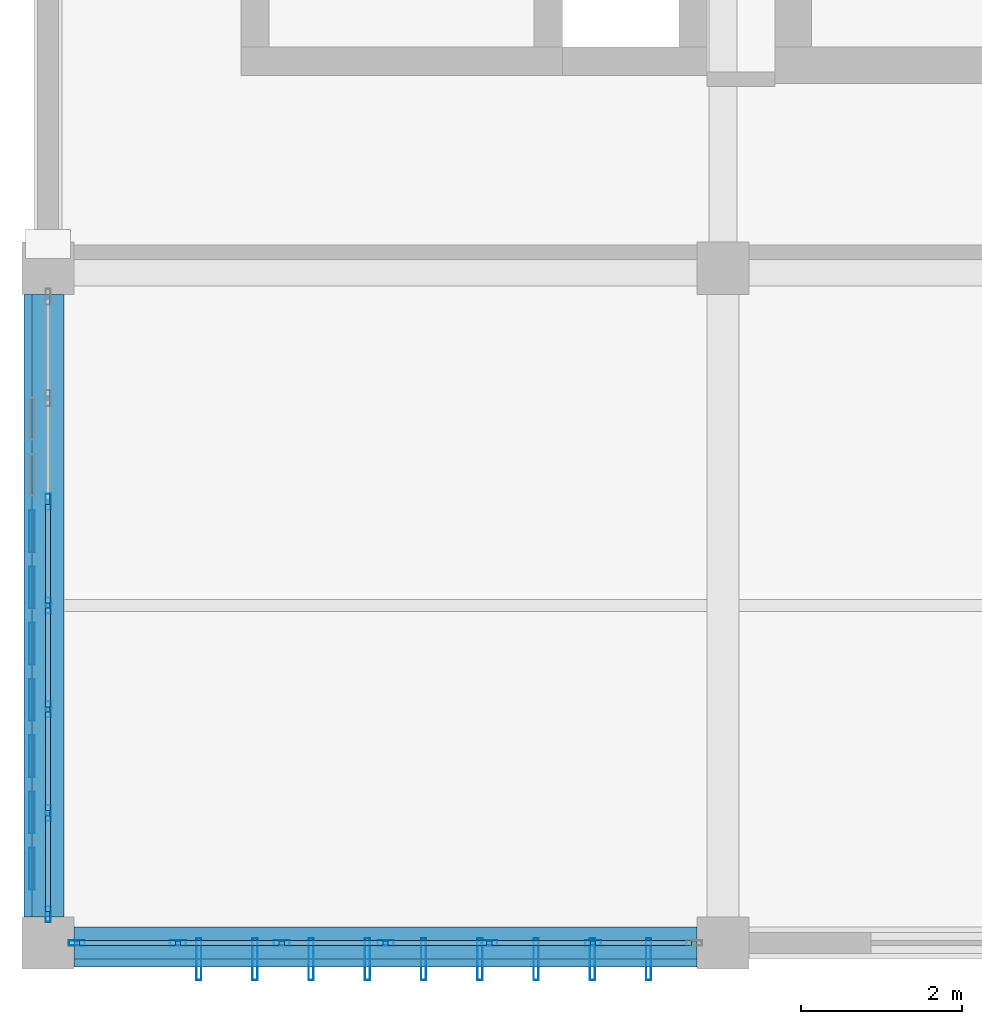
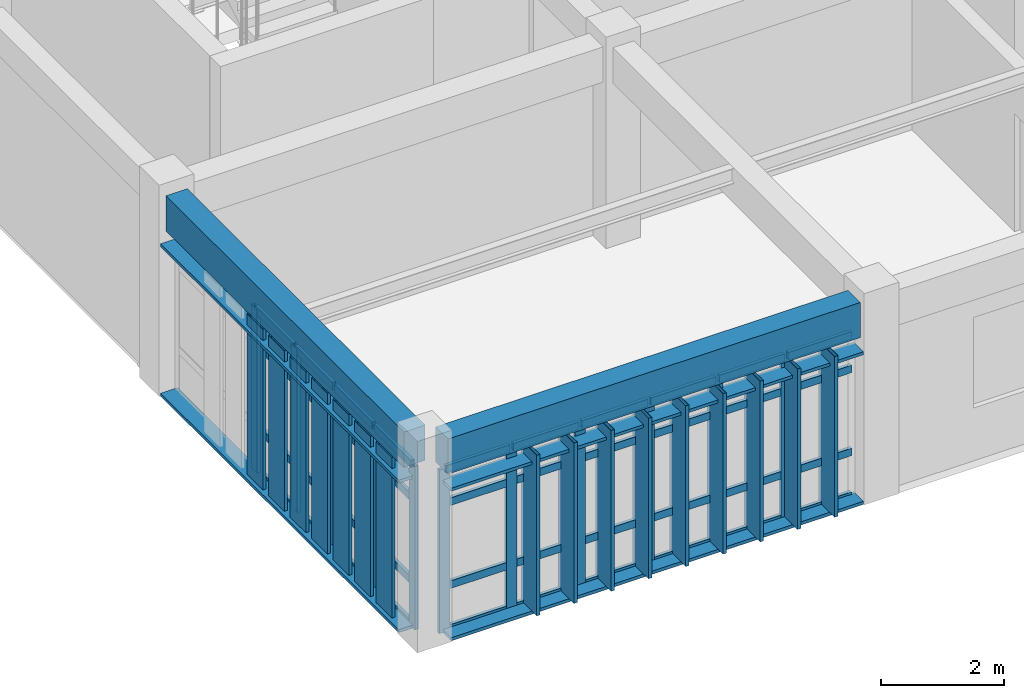
# One storey, part 4 of 23: 71 members, 2 beams, 2 elements without a shape of their own.
"""IFC4 building model written with IfcOpenShell, lengths in metres."""

from ifc_helpers import new_model, si_unit, direction, frame, origin, origin_2d, place, context, subcontext, project, spatial, rectangle, hollow_rectangle, extrude, material, layer, layer_set, material_profile, profile_set, type_object, element, aggregate, save


model = new_model("IFC4")

# Units and contexts
model_context = context("Model", 3, precision=1e-05, world=origin(), true_north=direction((0.0, 1.0)))
body_context = subcontext(model_context, "Body", "Model", "MODEL_VIEW")
ifc_project = project(units=[si_unit("LENGTHUNIT", "METRE"), si_unit("AREAUNIT", "SQUARE_METRE"), si_unit("VOLUMEUNIT", "CUBIC_METRE"), si_unit("PLANEANGLEUNIT", "RADIAN"), si_unit("MASSUNIT", "GRAM", prefix="KILO")], contexts=[model_context])

# Site, building, storey
site_placement = place(None, origin())
site = spatial("IfcSite", under=ifc_project, at=site_placement, CompositionType="ELEMENT")
building_placement = place(site_placement, origin())
building = spatial("IfcBuilding", under=site, at=building_placement, Name="Krzemoval Escarpment Law Courts", CompositionType="ELEMENT")
storey_placement = place(building_placement, frame((0.0, 0.0, 33.60009765625)))
storey = spatial("IfcBuildingStorey", under=building, at=storey_placement, Name="L07", CompositionType="ELEMENT", Elevation=33.60009765625)

# Beams
ifc_material_1 = material(Name="Concrete C40/50", Category="concrete")
ifc_material_profile_1 = material_profile(ifc_material_1, rectangle(XDim=0.39990234375, YDim=0.699951171875, at=origin_2d()), Name="RCB 400x700")
ifc_profile_set_1 = profile_set([ifc_material_profile_1], Name="Concrete C40/50")
beam_type = type_object("IfcBeamType", Name="BM-RC-400x700", PredefinedType="BEAM", material=ifc_profile_set_1)
for number, where, z_axis, x_axis, name in (
    (1, (126.324951171875, 85.199951171875, 3.599853515625), (1.0, 0.0, 0.0), (0.0, 1.0, 0.0), "Beam FG-L07-2693"),
    (2, (126.0, 85.52490234375, 3.599853515625), (0.0, 1.0, 0.0), (-1.0, 0.0, 0.0), "Beam FG-L07-2714"),
):
    element("IfcBeam", number, at=place(storey_placement, frame(where, z_axis=z_axis, x_axis=x_axis)), inside=storey, type_object=beam_type, Name=name, PredefinedType="BEAM", context=body_context, shape_type="SweptSolid", body=[
        extrude(rectangle(XDim=0.39990234375, YDim=0.699951171875, at=origin_2d()), origin(), (0.0, 0.0, 1.0), 7.75),
    ])

# Curtain wall, members
ifc_material_2 = material(Name="Aluminium 6063-T6", Category="aluminium")
ifc_layer = layer(ifc_material_2, 0.219970703125)
ifc_layer_set = layer_set([ifc_layer], Name="Aluminium 6063-T6")
curtain_wall_type = type_object("IfcCurtainWallType", Name="CW-CHMB-4200", PredefinedType="USERDEFINED", material=ifc_layer_set)
curtain_wall_1_placement = place(storey_placement, origin())
curtain_wall_1 = element("IfcCurtainWall", 3, at=curtain_wall_1_placement, inside=storey, type_object=curtain_wall_type, Name="Unitised Curtain Wall FCW-L07-154", ObjectType="UNITISED_CURTAIN_WALL", PredefinedType="USERDEFINED")
ifc_material_3 = material(Name="Aluminium 6063-T6", Category="aluminium")
ifc_material_profile_2 = material_profile(ifc_material_3, hollow_rectangle(XDim=0.06494140625, YDim=0.199951171875, WallThickness=0.00439453125, at=origin_2d()), Name="ALU M65x200")
ifc_profile_set_2 = profile_set([ifc_material_profile_2], Name="Aluminium 6063-T6")
member_type_1 = type_object("IfcMemberType", Name="CWM-65x200", PredefinedType="MULLION", material=ifc_profile_set_2)
member_1_placement = place(storey_placement, frame((132.783447265625, 85.199951171875, 0.0), z_axis=(0.0, 0.0, 1.0), x_axis=(0.0, -1.0, 0.0)))
member_1 = element("IfcMember", 4, at=member_1_placement, type_object=member_type_1, Name="FCW-L07-154 mullion 2", PredefinedType="MULLION", context=body_context, shape_type="SweptSolid", body=[
    extrude(hollow_rectangle(XDim=0.06494140625, YDim=0.199951171875, WallThickness=0.00439453125, at=origin_2d()), origin(), (0.0, 0.0, 1.0), 3.25),
])
member_2_placement = place(storey_placement, frame((131.49169921875, 85.199951171875, 0.0), z_axis=(0.0, 0.0, 1.0), x_axis=(0.0, -1.0, 0.0)))
member_2 = element("IfcMember", 5, at=member_2_placement, type_object=member_type_1, Name="FCW-L07-154 mullion 3", PredefinedType="MULLION", context=body_context, shape_type="SweptSolid", body=[
    extrude(hollow_rectangle(XDim=0.06494140625, YDim=0.199951171875, WallThickness=0.00439453125, at=origin_2d()), origin(), (0.0, 0.0, 1.0), 3.25),
])
member_3_placement = place(storey_placement, frame((130.199951171875, 85.199951171875, 0.0), z_axis=(0.0, 0.0, 1.0), x_axis=(0.0, -1.0, 0.0)))
member_3 = element("IfcMember", 6, at=member_3_placement, type_object=member_type_1, Name="FCW-L07-154 mullion 4", PredefinedType="MULLION", context=body_context, shape_type="SweptSolid", body=[
    extrude(hollow_rectangle(XDim=0.06494140625, YDim=0.199951171875, WallThickness=0.00439453125, at=origin_2d()), origin(), (0.0, 0.0, 1.0), 3.25),
])
member_4_placement = place(storey_placement, frame((128.908447265625, 85.199951171875, 0.0), z_axis=(0.0, 0.0, 1.0), x_axis=(0.0, -1.0, 0.0)))
member_4 = element("IfcMember", 7, at=member_4_placement, type_object=member_type_1, Name="FCW-L07-154 mullion 5", PredefinedType="MULLION", context=body_context, shape_type="SweptSolid", body=[
    extrude(hollow_rectangle(XDim=0.06494140625, YDim=0.199951171875, WallThickness=0.00439453125, at=origin_2d()), origin(), (0.0, 0.0, 1.0), 3.25),
])
member_5_placement = place(storey_placement, frame((127.61669921875, 85.199951171875, 0.0), z_axis=(0.0, 0.0, 1.0), x_axis=(0.0, -1.0, 0.0)))
member_5 = element("IfcMember", 8, at=member_5_placement, type_object=member_type_1, Name="FCW-L07-154 mullion 6", PredefinedType="MULLION", context=body_context, shape_type="SweptSolid", body=[
    extrude(hollow_rectangle(XDim=0.06494140625, YDim=0.199951171875, WallThickness=0.00439453125, at=origin_2d()), origin(), (0.0, 0.0, 1.0), 3.25),
])
member_6_placement = place(storey_placement, frame((126.357421875, 85.199951171875, 0.0), z_axis=(0.0, 0.0, 1.0), x_axis=(0.0, -1.0, 0.0)))
member_6 = element("IfcMember", 9, at=member_6_placement, type_object=member_type_1, Name="FCW-L07-154 mullion 7", PredefinedType="MULLION", context=body_context, shape_type="SweptSolid", body=[
    extrude(hollow_rectangle(XDim=0.06494140625, YDim=0.199951171875, WallThickness=0.00439453125, at=origin_2d()), origin(), (0.0, 0.0, 1.0), 3.25),
])

curtain_wall_2_placement = place(storey_placement, origin())
curtain_wall_2 = element("IfcCurtainWall", 10, at=curtain_wall_2_placement, inside=storey, type_object=curtain_wall_type, Name="Unitised Curtain Wall FCW-L07-155", ObjectType="UNITISED_CURTAIN_WALL", PredefinedType="USERDEFINED")
member_7_placement = place(storey_placement, frame((126.0, 85.5576171875, 0.0), z_axis=(0.0, 0.0, 1.0), x_axis=(-1.0, 0.0, 0.0)))
member_7 = element("IfcMember", 11, at=member_7_placement, type_object=member_type_1, Name="FCW-L07-155 mullion 1", PredefinedType="MULLION", context=body_context, shape_type="SweptSolid", body=[
    extrude(hollow_rectangle(XDim=0.06494140625, YDim=0.199951171875, WallThickness=0.00439453125, at=origin_2d()), origin(), (0.0, 0.0, 1.0), 3.25),
])
member_8_placement = place(storey_placement, frame((126.0, 86.816650390625, 0.0), z_axis=(0.0, 0.0, 1.0), x_axis=(-1.0, 0.0, 0.0)))
member_8 = element("IfcMember", 12, at=member_8_placement, type_object=member_type_1, Name="FCW-L07-155 mullion 2", PredefinedType="MULLION", context=body_context, shape_type="SweptSolid", body=[
    extrude(hollow_rectangle(XDim=0.06494140625, YDim=0.199951171875, WallThickness=0.00439453125, at=origin_2d()), origin(), (0.0, 0.0, 1.0), 3.25),
])
member_9_placement = place(storey_placement, frame((126.0, 88.1083984375, 0.0), z_axis=(0.0, 0.0, 1.0), x_axis=(-1.0, 0.0, 0.0)))
member_9 = element("IfcMember", 13, at=member_9_placement, type_object=member_type_1, Name="FCW-L07-155 mullion 3", PredefinedType="MULLION", context=body_context, shape_type="SweptSolid", body=[
    extrude(hollow_rectangle(XDim=0.06494140625, YDim=0.199951171875, WallThickness=0.00439453125, at=origin_2d()), origin(), (0.0, 0.0, 1.0), 3.25),
])
member_10_placement = place(storey_placement, frame((126.0, 89.39990234375, 0.0), z_axis=(0.0, 0.0, 1.0), x_axis=(-1.0, 0.0, 0.0)))
member_10 = element("IfcMember", 14, at=member_10_placement, type_object=member_type_1, Name="FCW-L07-155 mullion 4", PredefinedType="MULLION", context=body_context, shape_type="SweptSolid", body=[
    extrude(hollow_rectangle(XDim=0.06494140625, YDim=0.199951171875, WallThickness=0.00439453125, at=origin_2d()), origin(), (0.0, 0.0, 1.0), 3.25),
])
member_11_placement = place(storey_placement, frame((126.0, 90.691650390625, 0.0), z_axis=(0.0, 0.0, 1.0), x_axis=(-1.0, 0.0, 0.0)))
member_11 = element("IfcMember", 15, at=member_11_placement, type_object=member_type_1, Name="FCW-L07-155 mullion 5", PredefinedType="MULLION", context=body_context, shape_type="SweptSolid", body=[
    extrude(hollow_rectangle(XDim=0.06494140625, YDim=0.199951171875, WallThickness=0.00439453125, at=origin_2d()), origin(), (0.0, 0.0, 1.0), 3.25),
])

# Member
ifc_material_4 = material(Name="Aluminium 6063-T6", Category="aluminium")
ifc_material_profile_3 = material_profile(ifc_material_4, hollow_rectangle(XDim=0.06494140625, YDim=0.14990234375, WallThickness=0.00439453125, at=origin_2d()), Name="ALU T65x150")
ifc_profile_set_3 = profile_set([ifc_material_profile_3], Name="Aluminium 6063-T6")
member_type_2 = type_object("IfcMemberType", Name="CWT-65x150", PredefinedType="USERDEFINED", material=ifc_profile_set_3)
member_12_placement = place(storey_placement, frame((134.010009765625, 85.199951171875, 0.032470703125), z_axis=(-1.0, 0.0, 0.0), x_axis=(0.0, -1.0, 0.0)))
member_12 = element("IfcMember", 16, at=member_12_placement, type_object=member_type_2, Name="FCW-L07-154 transom 1.1", ObjectType="TRANSOM", PredefinedType="USERDEFINED", context=body_context, shape_type="SweptSolid", body=[
    extrude(hollow_rectangle(XDim=0.06494140625, YDim=0.14990234375, WallThickness=0.00439453125, at=origin_2d()), origin(), (0.0, 0.0, 1.0), 1.194091796875),
])

member_13_placement = place(storey_placement, frame((134.010009765625, 85.199951171875, 0.89990234375), z_axis=(-1.0, 0.0, 0.0), x_axis=(0.0, -1.0, 0.0)))
member_13 = element("IfcMember", 17, at=member_13_placement, type_object=member_type_2, Name="FCW-L07-154 transom 1.2", ObjectType="TRANSOM", PredefinedType="USERDEFINED", context=body_context, shape_type="SweptSolid", body=[
    extrude(hollow_rectangle(XDim=0.06494140625, YDim=0.14990234375, WallThickness=0.00439453125, at=origin_2d()), origin(), (0.0, 0.0, 1.0), 1.194091796875),
])

member_14_placement = place(storey_placement, frame((134.010009765625, 85.199951171875, 2.5498046875), z_axis=(-1.0, 0.0, 0.0), x_axis=(0.0, -1.0, 0.0)))
member_14 = element("IfcMember", 18, at=member_14_placement, type_object=member_type_2, Name="FCW-L07-154 transom 1.3", ObjectType="TRANSOM", PredefinedType="USERDEFINED", context=body_context, shape_type="SweptSolid", body=[
    extrude(hollow_rectangle(XDim=0.06494140625, YDim=0.14990234375, WallThickness=0.00439453125, at=origin_2d()), origin(), (0.0, 0.0, 1.0), 1.194091796875),
])

member_15_placement = place(storey_placement, frame((134.010009765625, 85.199951171875, 3.21728515625), z_axis=(-1.0, 0.0, 0.0), x_axis=(0.0, -1.0, 0.0)))
member_15 = element("IfcMember", 19, at=member_15_placement, type_object=member_type_2, Name="FCW-L07-154 transom 1.4", ObjectType="TRANSOM", PredefinedType="USERDEFINED", context=body_context, shape_type="SweptSolid", body=[
    extrude(hollow_rectangle(XDim=0.06494140625, YDim=0.14990234375, WallThickness=0.00439453125, at=origin_2d()), origin(), (0.0, 0.0, 1.0), 1.194091796875),
])

member_16_placement = place(storey_placement, frame((132.750732421875, 85.199951171875, 0.032470703125), z_axis=(-1.0, 0.0, 0.0), x_axis=(0.0, -1.0, 0.0)))
member_16 = element("IfcMember", 20, at=member_16_placement, type_object=member_type_2, Name="FCW-L07-154 transom 2.1", ObjectType="TRANSOM", PredefinedType="USERDEFINED", context=body_context, shape_type="SweptSolid", body=[
    extrude(hollow_rectangle(XDim=0.06494140625, YDim=0.14990234375, WallThickness=0.00439453125, at=origin_2d()), origin(), (0.0, 0.0, 1.0), 1.2265625),
])

member_17_placement = place(storey_placement, frame((132.750732421875, 85.199951171875, 0.89990234375), z_axis=(-1.0, 0.0, 0.0), x_axis=(0.0, -1.0, 0.0)))
member_17 = element("IfcMember", 21, at=member_17_placement, type_object=member_type_2, Name="FCW-L07-154 transom 2.2", ObjectType="TRANSOM", PredefinedType="USERDEFINED", context=body_context, shape_type="SweptSolid", body=[
    extrude(hollow_rectangle(XDim=0.06494140625, YDim=0.14990234375, WallThickness=0.00439453125, at=origin_2d()), origin(), (0.0, 0.0, 1.0), 1.2265625),
])

member_18_placement = place(storey_placement, frame((132.750732421875, 85.199951171875, 2.5498046875), z_axis=(-1.0, 0.0, 0.0), x_axis=(0.0, -1.0, 0.0)))
member_18 = element("IfcMember", 22, at=member_18_placement, type_object=member_type_2, Name="FCW-L07-154 transom 2.3", ObjectType="TRANSOM", PredefinedType="USERDEFINED", context=body_context, shape_type="SweptSolid", body=[
    extrude(hollow_rectangle(XDim=0.06494140625, YDim=0.14990234375, WallThickness=0.00439453125, at=origin_2d()), origin(), (0.0, 0.0, 1.0), 1.2265625),
])

member_19_placement = place(storey_placement, frame((132.750732421875, 85.199951171875, 3.21728515625), z_axis=(-1.0, 0.0, 0.0), x_axis=(0.0, -1.0, 0.0)))
member_19 = element("IfcMember", 23, at=member_19_placement, type_object=member_type_2, Name="FCW-L07-154 transom 2.4", ObjectType="TRANSOM", PredefinedType="USERDEFINED", context=body_context, shape_type="SweptSolid", body=[
    extrude(hollow_rectangle(XDim=0.06494140625, YDim=0.14990234375, WallThickness=0.00439453125, at=origin_2d()), origin(), (0.0, 0.0, 1.0), 1.2265625),
])

member_20_placement = place(storey_placement, frame((131.459228515625, 85.199951171875, 0.032470703125), z_axis=(-1.0, 0.0, 0.0), x_axis=(0.0, -1.0, 0.0)))
member_20 = element("IfcMember", 24, at=member_20_placement, type_object=member_type_2, Name="FCW-L07-154 transom 3.1", ObjectType="TRANSOM", PredefinedType="USERDEFINED", context=body_context, shape_type="SweptSolid", body=[
    extrude(hollow_rectangle(XDim=0.06494140625, YDim=0.14990234375, WallThickness=0.00439453125, at=origin_2d()), origin(), (0.0, 0.0, 1.0), 1.226806640625),
])

member_21_placement = place(storey_placement, frame((131.459228515625, 85.199951171875, 0.89990234375), z_axis=(-1.0, 0.0, 0.0), x_axis=(0.0, -1.0, 0.0)))
member_21 = element("IfcMember", 25, at=member_21_placement, type_object=member_type_2, Name="FCW-L07-154 transom 3.2", ObjectType="TRANSOM", PredefinedType="USERDEFINED", context=body_context, shape_type="SweptSolid", body=[
    extrude(hollow_rectangle(XDim=0.06494140625, YDim=0.14990234375, WallThickness=0.00439453125, at=origin_2d()), origin(), (0.0, 0.0, 1.0), 1.226806640625),
])

member_22_placement = place(storey_placement, frame((131.459228515625, 85.199951171875, 2.5498046875), z_axis=(-1.0, 0.0, 0.0), x_axis=(0.0, -1.0, 0.0)))
member_22 = element("IfcMember", 26, at=member_22_placement, type_object=member_type_2, Name="FCW-L07-154 transom 3.3", ObjectType="TRANSOM", PredefinedType="USERDEFINED", context=body_context, shape_type="SweptSolid", body=[
    extrude(hollow_rectangle(XDim=0.06494140625, YDim=0.14990234375, WallThickness=0.00439453125, at=origin_2d()), origin(), (0.0, 0.0, 1.0), 1.226806640625),
])

member_23_placement = place(storey_placement, frame((131.459228515625, 85.199951171875, 3.21728515625), z_axis=(-1.0, 0.0, 0.0), x_axis=(0.0, -1.0, 0.0)))
member_23 = element("IfcMember", 27, at=member_23_placement, type_object=member_type_2, Name="FCW-L07-154 transom 3.4", ObjectType="TRANSOM", PredefinedType="USERDEFINED", context=body_context, shape_type="SweptSolid", body=[
    extrude(hollow_rectangle(XDim=0.06494140625, YDim=0.14990234375, WallThickness=0.00439453125, at=origin_2d()), origin(), (0.0, 0.0, 1.0), 1.226806640625),
])

member_24_placement = place(storey_placement, frame((130.16748046875, 85.199951171875, 0.032470703125), z_axis=(-1.0, 0.0, 0.0), x_axis=(0.0, -1.0, 0.0)))
member_24 = element("IfcMember", 28, at=member_24_placement, type_object=member_type_2, Name="FCW-L07-154 transom 4.1", ObjectType="TRANSOM", PredefinedType="USERDEFINED", context=body_context, shape_type="SweptSolid", body=[
    extrude(hollow_rectangle(XDim=0.06494140625, YDim=0.14990234375, WallThickness=0.00439453125, at=origin_2d()), origin(), (0.0, 0.0, 1.0), 1.2265625),
])

member_25_placement = place(storey_placement, frame((130.16748046875, 85.199951171875, 0.89990234375), z_axis=(-1.0, 0.0, 0.0), x_axis=(0.0, -1.0, 0.0)))
member_25 = element("IfcMember", 29, at=member_25_placement, type_object=member_type_2, Name="FCW-L07-154 transom 4.2", ObjectType="TRANSOM", PredefinedType="USERDEFINED", context=body_context, shape_type="SweptSolid", body=[
    extrude(hollow_rectangle(XDim=0.06494140625, YDim=0.14990234375, WallThickness=0.00439453125, at=origin_2d()), origin(), (0.0, 0.0, 1.0), 1.2265625),
])

member_26_placement = place(storey_placement, frame((130.16748046875, 85.199951171875, 2.5498046875), z_axis=(-1.0, 0.0, 0.0), x_axis=(0.0, -1.0, 0.0)))
member_26 = element("IfcMember", 30, at=member_26_placement, type_object=member_type_2, Name="FCW-L07-154 transom 4.3", ObjectType="TRANSOM", PredefinedType="USERDEFINED", context=body_context, shape_type="SweptSolid", body=[
    extrude(hollow_rectangle(XDim=0.06494140625, YDim=0.14990234375, WallThickness=0.00439453125, at=origin_2d()), origin(), (0.0, 0.0, 1.0), 1.2265625),
])

member_27_placement = place(storey_placement, frame((130.16748046875, 85.199951171875, 3.21728515625), z_axis=(-1.0, 0.0, 0.0), x_axis=(0.0, -1.0, 0.0)))
member_27 = element("IfcMember", 31, at=member_27_placement, type_object=member_type_2, Name="FCW-L07-154 transom 4.4", ObjectType="TRANSOM", PredefinedType="USERDEFINED", context=body_context, shape_type="SweptSolid", body=[
    extrude(hollow_rectangle(XDim=0.06494140625, YDim=0.14990234375, WallThickness=0.00439453125, at=origin_2d()), origin(), (0.0, 0.0, 1.0), 1.2265625),
])

member_28_placement = place(storey_placement, frame((128.875732421875, 85.199951171875, 0.032470703125), z_axis=(-1.0, 0.0, 0.0), x_axis=(0.0, -1.0, 0.0)))
member_28 = element("IfcMember", 32, at=member_28_placement, type_object=member_type_2, Name="FCW-L07-154 transom 5.1", ObjectType="TRANSOM", PredefinedType="USERDEFINED", context=body_context, shape_type="SweptSolid", body=[
    extrude(hollow_rectangle(XDim=0.06494140625, YDim=0.14990234375, WallThickness=0.00439453125, at=origin_2d()), origin(), (0.0, 0.0, 1.0), 1.2265625),
])

member_29_placement = place(storey_placement, frame((128.875732421875, 85.199951171875, 0.89990234375), z_axis=(-1.0, 0.0, 0.0), x_axis=(0.0, -1.0, 0.0)))
member_29 = element("IfcMember", 33, at=member_29_placement, type_object=member_type_2, Name="FCW-L07-154 transom 5.2", ObjectType="TRANSOM", PredefinedType="USERDEFINED", context=body_context, shape_type="SweptSolid", body=[
    extrude(hollow_rectangle(XDim=0.06494140625, YDim=0.14990234375, WallThickness=0.00439453125, at=origin_2d()), origin(), (0.0, 0.0, 1.0), 1.2265625),
])

member_30_placement = place(storey_placement, frame((128.875732421875, 85.199951171875, 2.5498046875), z_axis=(-1.0, 0.0, 0.0), x_axis=(0.0, -1.0, 0.0)))
member_30 = element("IfcMember", 34, at=member_30_placement, type_object=member_type_2, Name="FCW-L07-154 transom 5.3", ObjectType="TRANSOM", PredefinedType="USERDEFINED", context=body_context, shape_type="SweptSolid", body=[
    extrude(hollow_rectangle(XDim=0.06494140625, YDim=0.14990234375, WallThickness=0.00439453125, at=origin_2d()), origin(), (0.0, 0.0, 1.0), 1.2265625),
])

member_31_placement = place(storey_placement, frame((128.875732421875, 85.199951171875, 3.21728515625), z_axis=(-1.0, 0.0, 0.0), x_axis=(0.0, -1.0, 0.0)))
member_31 = element("IfcMember", 35, at=member_31_placement, type_object=member_type_2, Name="FCW-L07-154 transom 5.4", ObjectType="TRANSOM", PredefinedType="USERDEFINED", context=body_context, shape_type="SweptSolid", body=[
    extrude(hollow_rectangle(XDim=0.06494140625, YDim=0.14990234375, WallThickness=0.00439453125, at=origin_2d()), origin(), (0.0, 0.0, 1.0), 1.2265625),
])

member_32_placement = place(storey_placement, frame((127.584228515625, 85.199951171875, 0.032470703125), z_axis=(-1.0, 0.0, 0.0), x_axis=(0.0, -1.0, 0.0)))
member_32 = element("IfcMember", 36, at=member_32_placement, type_object=member_type_2, Name="FCW-L07-154 transom 6.1", ObjectType="TRANSOM", PredefinedType="USERDEFINED", context=body_context, shape_type="SweptSolid", body=[
    extrude(hollow_rectangle(XDim=0.06494140625, YDim=0.14990234375, WallThickness=0.00439453125, at=origin_2d()), origin(), (0.0, 0.0, 1.0), 1.1943359375),
])

member_33_placement = place(storey_placement, frame((127.584228515625, 85.199951171875, 0.89990234375), z_axis=(-1.0, 0.0, 0.0), x_axis=(0.0, -1.0, 0.0)))
member_33 = element("IfcMember", 37, at=member_33_placement, type_object=member_type_2, Name="FCW-L07-154 transom 6.2", ObjectType="TRANSOM", PredefinedType="USERDEFINED", context=body_context, shape_type="SweptSolid", body=[
    extrude(hollow_rectangle(XDim=0.06494140625, YDim=0.14990234375, WallThickness=0.00439453125, at=origin_2d()), origin(), (0.0, 0.0, 1.0), 1.1943359375),
])

member_34_placement = place(storey_placement, frame((127.584228515625, 85.199951171875, 2.5498046875), z_axis=(-1.0, 0.0, 0.0), x_axis=(0.0, -1.0, 0.0)))
member_34 = element("IfcMember", 38, at=member_34_placement, type_object=member_type_2, Name="FCW-L07-154 transom 6.3", ObjectType="TRANSOM", PredefinedType="USERDEFINED", context=body_context, shape_type="SweptSolid", body=[
    extrude(hollow_rectangle(XDim=0.06494140625, YDim=0.14990234375, WallThickness=0.00439453125, at=origin_2d()), origin(), (0.0, 0.0, 1.0), 1.1943359375),
])

member_35_placement = place(storey_placement, frame((127.584228515625, 85.199951171875, 3.21728515625), z_axis=(-1.0, 0.0, 0.0), x_axis=(0.0, -1.0, 0.0)))
member_35 = element("IfcMember", 39, at=member_35_placement, type_object=member_type_2, Name="FCW-L07-154 transom 6.4", ObjectType="TRANSOM", PredefinedType="USERDEFINED", context=body_context, shape_type="SweptSolid", body=[
    extrude(hollow_rectangle(XDim=0.06494140625, YDim=0.14990234375, WallThickness=0.00439453125, at=origin_2d()), origin(), (0.0, 0.0, 1.0), 1.1943359375),
])

aggregate(curtain_wall_1, [member_1, member_2, member_3, member_4, member_5, member_6, member_12, member_13, member_14, member_15, member_16, member_17, member_18, member_19, member_20, member_21, member_22, member_23, member_24, member_25, member_26, member_27, member_28, member_29, member_30, member_31, member_32, member_33, member_34, member_35])

member_36_placement = place(storey_placement, frame((126.0, 85.590087890625, 0.032470703125), z_axis=(0.0, 1.0, 0.0), x_axis=(-1.0, 0.0, 0.0)))
member_36 = element("IfcMember", 40, at=member_36_placement, type_object=member_type_2, Name="FCW-L07-155 transom 1.1", ObjectType="TRANSOM", PredefinedType="USERDEFINED", context=body_context, shape_type="SweptSolid", body=[
    extrude(hollow_rectangle(XDim=0.06494140625, YDim=0.14990234375, WallThickness=0.00439453125, at=origin_2d()), origin(), (0.0, 0.0, 1.0), 1.194091796875),
])

member_37_placement = place(storey_placement, frame((126.0, 85.590087890625, 0.89990234375), z_axis=(0.0, 1.0, 0.0), x_axis=(-1.0, 0.0, 0.0)))
member_37 = element("IfcMember", 41, at=member_37_placement, type_object=member_type_2, Name="FCW-L07-155 transom 1.2", ObjectType="TRANSOM", PredefinedType="USERDEFINED", context=body_context, shape_type="SweptSolid", body=[
    extrude(hollow_rectangle(XDim=0.06494140625, YDim=0.14990234375, WallThickness=0.00439453125, at=origin_2d()), origin(), (0.0, 0.0, 1.0), 1.194091796875),
])

member_38_placement = place(storey_placement, frame((126.0, 85.590087890625, 2.5498046875), z_axis=(0.0, 1.0, 0.0), x_axis=(-1.0, 0.0, 0.0)))
member_38 = element("IfcMember", 42, at=member_38_placement, type_object=member_type_2, Name="FCW-L07-155 transom 1.3", ObjectType="TRANSOM", PredefinedType="USERDEFINED", context=body_context, shape_type="SweptSolid", body=[
    extrude(hollow_rectangle(XDim=0.06494140625, YDim=0.14990234375, WallThickness=0.00439453125, at=origin_2d()), origin(), (0.0, 0.0, 1.0), 1.194091796875),
])

member_39_placement = place(storey_placement, frame((126.0, 85.590087890625, 3.21728515625), z_axis=(0.0, 1.0, 0.0), x_axis=(-1.0, 0.0, 0.0)))
member_39 = element("IfcMember", 43, at=member_39_placement, type_object=member_type_2, Name="FCW-L07-155 transom 1.4", ObjectType="TRANSOM", PredefinedType="USERDEFINED", context=body_context, shape_type="SweptSolid", body=[
    extrude(hollow_rectangle(XDim=0.06494140625, YDim=0.14990234375, WallThickness=0.00439453125, at=origin_2d()), origin(), (0.0, 0.0, 1.0), 1.194091796875),
])

member_40_placement = place(storey_placement, frame((126.0, 86.84912109375, 0.032470703125), z_axis=(0.0, 1.0, 0.0), x_axis=(-1.0, 0.0, 0.0)))
member_40 = element("IfcMember", 44, at=member_40_placement, type_object=member_type_2, Name="FCW-L07-155 transom 2.1", ObjectType="TRANSOM", PredefinedType="USERDEFINED", context=body_context, shape_type="SweptSolid", body=[
    extrude(hollow_rectangle(XDim=0.06494140625, YDim=0.14990234375, WallThickness=0.00439453125, at=origin_2d()), origin(), (0.0, 0.0, 1.0), 1.226806640625),
])

member_41_placement = place(storey_placement, frame((126.0, 86.84912109375, 0.89990234375), z_axis=(0.0, 1.0, 0.0), x_axis=(-1.0, 0.0, 0.0)))
member_41 = element("IfcMember", 45, at=member_41_placement, type_object=member_type_2, Name="FCW-L07-155 transom 2.2", ObjectType="TRANSOM", PredefinedType="USERDEFINED", context=body_context, shape_type="SweptSolid", body=[
    extrude(hollow_rectangle(XDim=0.06494140625, YDim=0.14990234375, WallThickness=0.00439453125, at=origin_2d()), origin(), (0.0, 0.0, 1.0), 1.226806640625),
])

member_42_placement = place(storey_placement, frame((126.0, 86.84912109375, 2.5498046875), z_axis=(0.0, 1.0, 0.0), x_axis=(-1.0, 0.0, 0.0)))
member_42 = element("IfcMember", 46, at=member_42_placement, type_object=member_type_2, Name="FCW-L07-155 transom 2.3", ObjectType="TRANSOM", PredefinedType="USERDEFINED", context=body_context, shape_type="SweptSolid", body=[
    extrude(hollow_rectangle(XDim=0.06494140625, YDim=0.14990234375, WallThickness=0.00439453125, at=origin_2d()), origin(), (0.0, 0.0, 1.0), 1.226806640625),
])

member_43_placement = place(storey_placement, frame((126.0, 86.84912109375, 3.21728515625), z_axis=(0.0, 1.0, 0.0), x_axis=(-1.0, 0.0, 0.0)))
member_43 = element("IfcMember", 47, at=member_43_placement, type_object=member_type_2, Name="FCW-L07-155 transom 2.4", ObjectType="TRANSOM", PredefinedType="USERDEFINED", context=body_context, shape_type="SweptSolid", body=[
    extrude(hollow_rectangle(XDim=0.06494140625, YDim=0.14990234375, WallThickness=0.00439453125, at=origin_2d()), origin(), (0.0, 0.0, 1.0), 1.226806640625),
])

member_44_placement = place(storey_placement, frame((126.0, 88.140869140625, 0.032470703125), z_axis=(0.0, 1.0, 0.0), x_axis=(-1.0, 0.0, 0.0)))
member_44 = element("IfcMember", 48, at=member_44_placement, type_object=member_type_2, Name="FCW-L07-155 transom 3.1", ObjectType="TRANSOM", PredefinedType="USERDEFINED", context=body_context, shape_type="SweptSolid", body=[
    extrude(hollow_rectangle(XDim=0.06494140625, YDim=0.14990234375, WallThickness=0.00439453125, at=origin_2d()), origin(), (0.0, 0.0, 1.0), 1.2265625),
])

member_45_placement = place(storey_placement, frame((126.0, 88.140869140625, 0.89990234375), z_axis=(0.0, 1.0, 0.0), x_axis=(-1.0, 0.0, 0.0)))
member_45 = element("IfcMember", 49, at=member_45_placement, type_object=member_type_2, Name="FCW-L07-155 transom 3.2", ObjectType="TRANSOM", PredefinedType="USERDEFINED", context=body_context, shape_type="SweptSolid", body=[
    extrude(hollow_rectangle(XDim=0.06494140625, YDim=0.14990234375, WallThickness=0.00439453125, at=origin_2d()), origin(), (0.0, 0.0, 1.0), 1.2265625),
])

member_46_placement = place(storey_placement, frame((126.0, 88.140869140625, 2.5498046875), z_axis=(0.0, 1.0, 0.0), x_axis=(-1.0, 0.0, 0.0)))
member_46 = element("IfcMember", 50, at=member_46_placement, type_object=member_type_2, Name="FCW-L07-155 transom 3.3", ObjectType="TRANSOM", PredefinedType="USERDEFINED", context=body_context, shape_type="SweptSolid", body=[
    extrude(hollow_rectangle(XDim=0.06494140625, YDim=0.14990234375, WallThickness=0.00439453125, at=origin_2d()), origin(), (0.0, 0.0, 1.0), 1.2265625),
])

member_47_placement = place(storey_placement, frame((126.0, 88.140869140625, 3.21728515625), z_axis=(0.0, 1.0, 0.0), x_axis=(-1.0, 0.0, 0.0)))
member_47 = element("IfcMember", 51, at=member_47_placement, type_object=member_type_2, Name="FCW-L07-155 transom 3.4", ObjectType="TRANSOM", PredefinedType="USERDEFINED", context=body_context, shape_type="SweptSolid", body=[
    extrude(hollow_rectangle(XDim=0.06494140625, YDim=0.14990234375, WallThickness=0.00439453125, at=origin_2d()), origin(), (0.0, 0.0, 1.0), 1.2265625),
])

member_48_placement = place(storey_placement, frame((126.0, 89.4326171875, 0.032470703125), z_axis=(0.0, 1.0, 0.0), x_axis=(-1.0, 0.0, 0.0)))
member_48 = element("IfcMember", 52, at=member_48_placement, type_object=member_type_2, Name="FCW-L07-155 transom 4.1", ObjectType="TRANSOM", PredefinedType="USERDEFINED", context=body_context, shape_type="SweptSolid", body=[
    extrude(hollow_rectangle(XDim=0.06494140625, YDim=0.14990234375, WallThickness=0.00439453125, at=origin_2d()), origin(), (0.0, 0.0, 1.0), 1.2265625),
])

member_49_placement = place(storey_placement, frame((126.0, 89.4326171875, 0.89990234375), z_axis=(0.0, 1.0, 0.0), x_axis=(-1.0, 0.0, 0.0)))
member_49 = element("IfcMember", 53, at=member_49_placement, type_object=member_type_2, Name="FCW-L07-155 transom 4.2", ObjectType="TRANSOM", PredefinedType="USERDEFINED", context=body_context, shape_type="SweptSolid", body=[
    extrude(hollow_rectangle(XDim=0.06494140625, YDim=0.14990234375, WallThickness=0.00439453125, at=origin_2d()), origin(), (0.0, 0.0, 1.0), 1.2265625),
])

member_50_placement = place(storey_placement, frame((126.0, 89.4326171875, 2.5498046875), z_axis=(0.0, 1.0, 0.0), x_axis=(-1.0, 0.0, 0.0)))
member_50 = element("IfcMember", 54, at=member_50_placement, type_object=member_type_2, Name="FCW-L07-155 transom 4.3", ObjectType="TRANSOM", PredefinedType="USERDEFINED", context=body_context, shape_type="SweptSolid", body=[
    extrude(hollow_rectangle(XDim=0.06494140625, YDim=0.14990234375, WallThickness=0.00439453125, at=origin_2d()), origin(), (0.0, 0.0, 1.0), 1.2265625),
])

member_51_placement = place(storey_placement, frame((126.0, 89.4326171875, 3.21728515625), z_axis=(0.0, 1.0, 0.0), x_axis=(-1.0, 0.0, 0.0)))
member_51 = element("IfcMember", 55, at=member_51_placement, type_object=member_type_2, Name="FCW-L07-155 transom 4.4", ObjectType="TRANSOM", PredefinedType="USERDEFINED", context=body_context, shape_type="SweptSolid", body=[
    extrude(hollow_rectangle(XDim=0.06494140625, YDim=0.14990234375, WallThickness=0.00439453125, at=origin_2d()), origin(), (0.0, 0.0, 1.0), 1.2265625),
])

aggregate(curtain_wall_2, [member_7, member_8, member_9, member_10, member_11, member_36, member_37, member_38, member_39, member_40, member_41, member_42, member_43, member_44, member_45, member_46, member_47, member_48, member_49, member_50, member_51])

# Members
ifc_material_5 = material(Name="Anodised Aluminium Alloy 6063-T6", Category="aluminium")
ifc_material_profile_4 = material_profile(ifc_material_5, hollow_rectangle(XDim=0.06005859375, YDim=0.320068359375, WallThickness=0.00390625, at=origin_2d()), Name="ALU LVR 60x320")
ifc_profile_set_4 = profile_set([ifc_material_profile_4], Name="Anodised Aluminium Alloy 6063-T6")
member_type_3 = type_object("IfcMemberType", Name="LVR-ALU-320", PredefinedType="USERDEFINED", material=ifc_profile_set_4)
for number, where, z_axis, x_axis, name in (
    (56, (134.074951171875, 85.06005859375, 0.02978515625), (-1.0, 0.0, 0.0), (0.0, 0.0, 1.0), "Sunshade Support Rail FSR-L07-1008"),
    (57, (134.074951171875, 85.06005859375, 3.0), (-1.0, 0.0, 0.0), (0.0, 0.0, 1.0), "Sunshade Support Rail FSR-L07-1009"),
    (58, (125.860107421875, 85.52490234375, 0.02978515625), (0.0, 1.0, 0.0), (0.0, 0.0, 1.0), "Sunshade Support Rail FSR-L07-1019"),
    (59, (125.860107421875, 85.52490234375, 3.0), (0.0, 1.0, 0.0), (0.0, 0.0, 1.0), "Sunshade Support Rail FSR-L07-1020"),
):
    element("IfcMember", number, at=place(storey_placement, frame(where, z_axis=z_axis, x_axis=x_axis)), inside=storey, type_object=member_type_3, Name=name, ObjectType="SUNSHADE_LOUVRE", PredefinedType="USERDEFINED", context=body_context, shape_type="SweptSolid", body=[
        extrude(hollow_rectangle(XDim=0.06005859375, YDim=0.320068359375, WallThickness=0.00390625, at=origin_2d()), origin(), (0.0, 0.0, 1.0), 7.75),
    ])
ifc_material_6 = material(Name="Anodised Aluminium Alloy 6063-T6", Category="aluminium")
ifc_material_profile_5 = material_profile(ifc_material_6, hollow_rectangle(XDim=0.06494140625, YDim=0.52001953125, WallThickness=0.00439453125, at=origin_2d()), Name="ALU LVR 65x520")
ifc_profile_set_5 = profile_set([ifc_material_profile_5], Name="Anodised Aluminium Alloy 6063-T6")
member_type_4 = type_object("IfcMemberType", Name="LVR-ALU-520", PredefinedType="USERDEFINED", material=ifc_profile_set_5)
for number, where, z_axis, x_axis, name in (
    (60, (133.47509765625, 85.0, 0.059814453125), (0.0, 0.0, 1.0), (1.0, 0.0, 0.0), "Sunshade Louvre Fin FLV-L07-1010"),
    (61, (132.77490234375, 85.0, 0.059814453125), (0.0, 0.0, 1.0), (1.0, 0.0, 0.0), "Sunshade Louvre Fin FLV-L07-1011"),
    (62, (132.074951171875, 85.0, 0.059814453125), (0.0, 0.0, 1.0), (1.0, 0.0, 0.0), "Sunshade Louvre Fin FLV-L07-1012"),
    (63, (131.375, 85.0, 0.059814453125), (0.0, 0.0, 1.0), (1.0, 0.0, 0.0), "Sunshade Louvre Fin FLV-L07-1013"),
    (64, (130.675048828125, 85.0, 0.059814453125), (0.0, 0.0, 1.0), (1.0, 0.0, 0.0), "Sunshade Louvre Fin FLV-L07-1014"),
    (65, (129.97509765625, 85.0, 0.059814453125), (0.0, 0.0, 1.0), (1.0, 0.0, 0.0), "Sunshade Louvre Fin FLV-L07-1015"),
    (66, (129.27490234375, 85.0, 0.059814453125), (0.0, 0.0, 1.0), (1.0, 0.0, 0.0), "Sunshade Louvre Fin FLV-L07-1016"),
    (67, (128.574951171875, 85.0, 0.059814453125), (0.0, 0.0, 1.0), (1.0, 0.0, 0.0), "Sunshade Louvre Fin FLV-L07-1017"),
    (68, (127.875, 85.0, 0.059814453125), (0.0, 0.0, 1.0), (1.0, 0.0, 0.0), "Sunshade Louvre Fin FLV-L07-1018"),
    (69, (125.800048828125, 86.125, 0.059814453125), (0.0, 0.0, 1.0), (1.0, 0.0, 0.0), "Sunshade Louvre Fin FLV-L07-1021"),
    (70, (125.800048828125, 86.824951171875, 0.059814453125), (0.0, 0.0, 1.0), (1.0, 0.0, 0.0), "Sunshade Louvre Fin FLV-L07-1022"),
    (71, (125.800048828125, 87.52490234375, 0.059814453125), (0.0, 0.0, 1.0), (1.0, 0.0, 0.0), "Sunshade Louvre Fin FLV-L07-1023"),
    (72, (125.800048828125, 88.22509765625, 0.059814453125), (0.0, 0.0, 1.0), (1.0, 0.0, 0.0), "Sunshade Louvre Fin FLV-L07-1024"),
    (73, (125.800048828125, 88.925048828125, 0.059814453125), (0.0, 0.0, 1.0), (1.0, 0.0, 0.0), "Sunshade Louvre Fin FLV-L07-1025"),
    (74, (125.800048828125, 89.625, 0.059814453125), (0.0, 0.0, 1.0), (1.0, 0.0, 0.0), "Sunshade Louvre Fin FLV-L07-1026"),
    (75, (125.800048828125, 90.324951171875, 0.059814453125), (0.0, 0.0, 1.0), (1.0, 0.0, 0.0), "Sunshade Louvre Fin FLV-L07-1027"),
):
    element("IfcMember", number, at=place(storey_placement, frame(where, z_axis=z_axis, x_axis=x_axis)), inside=storey, type_object=member_type_4, Name=name, ObjectType="SUNSHADE_LOUVRE", PredefinedType="USERDEFINED", context=body_context, shape_type="SweptSolid", body=[
        extrude(hollow_rectangle(XDim=0.06494140625, YDim=0.52001953125, WallThickness=0.00439453125, at=origin_2d()), origin(), (0.0, 0.0, 1.0), 3.190185546875),
    ])

save(model, "model.ifc")
